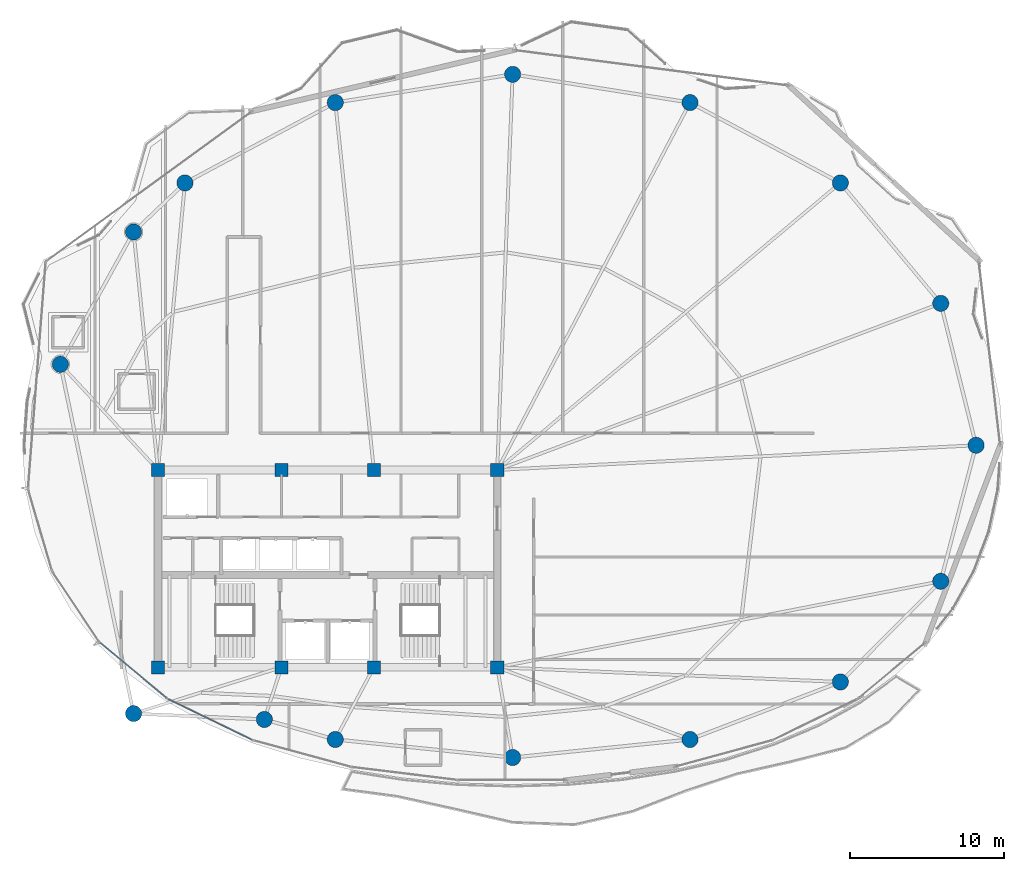
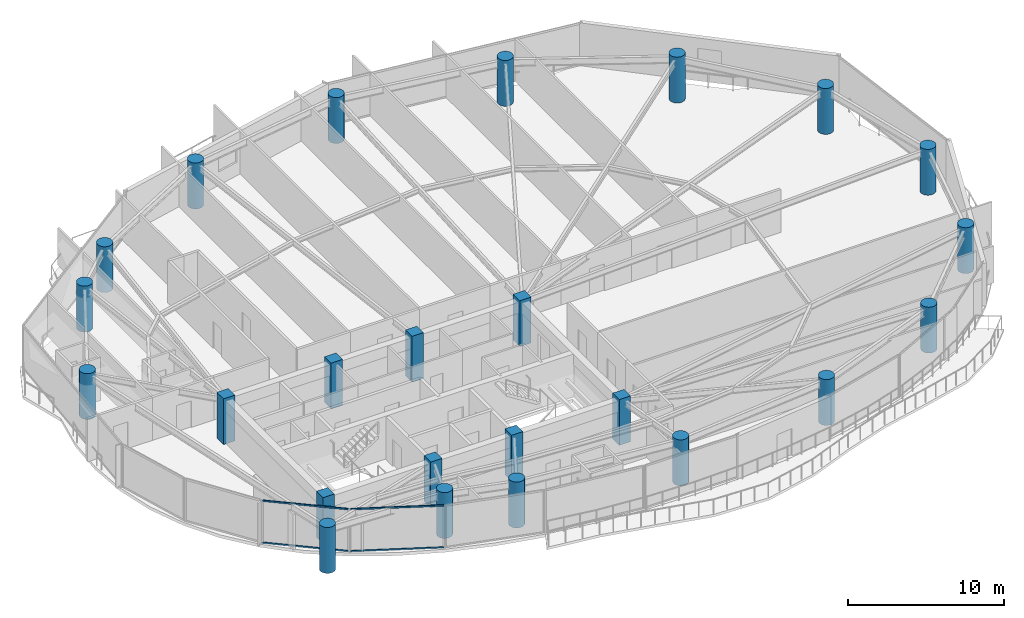
# One storey, part 1 of 31: 24 columns, 4 members, 2 elements without a shape of their own.
"""IFC4 building model written with IfcOpenShell, lengths in metres."""

from ifc_helpers import new_model, si_unit, direction, frame, origin, origin_2d, place, context, subcontext, project, spatial, rectangle, hollow_rectangle, circle, extrude, material, layer, layer_set, material_profile, profile_set, type_object, element, aggregate, save


model = new_model("IFC4")

# Units and contexts
model_context = context("Model", 3, precision=1e-05, world=origin(), true_north=direction((0.0, 1.0)))
body_context = subcontext(model_context, "Body", "Model", "MODEL_VIEW")
ifc_project = project(units=[si_unit("LENGTHUNIT", "METRE"), si_unit("AREAUNIT", "SQUARE_METRE"), si_unit("VOLUMEUNIT", "CUBIC_METRE"), si_unit("PLANEANGLEUNIT", "RADIAN"), si_unit("MASSUNIT", "GRAM", prefix="KILO")], contexts=[model_context])

# Site, building, storey
site_placement = place(None, origin())
site = spatial("IfcSite", under=ifc_project, at=site_placement, CompositionType="ELEMENT")
building_placement = place(site_placement, origin())
building = spatial("IfcBuilding", under=site, at=building_placement, Name="Kazevale Care Tower and Concert Hall", CompositionType="ELEMENT")
storey_placement = place(building_placement, frame((0.0, 0.0, 238.800048828125)))
storey = spatial("IfcBuildingStorey", under=building, at=storey_placement, Name="L63", CompositionType="ELEMENT", Elevation=238.800048828125)

# Columns
ifc_material_1 = material(Name="Concrete C50", Category="concrete")
ifc_material_profile_1 = material_profile(ifc_material_1, rectangle(XDim=0.85009765625, YDim=0.85009765625, at=origin_2d()), Name="RC-SQ850")
ifc_profile_set_1 = profile_set([ifc_material_profile_1], Name="Concrete C50")
column_type_1 = type_object("IfcColumnType", Name="Core Column SQ850 C50", PredefinedType="COLUMN", material=ifc_profile_set_1)
for number, where, z_axis, x_axis, name in (
    (1, (22.0, 23.60009765625, 0.0), (0.0, 0.0, 1.0), (1.0, 0.0, 0.0), "col:L63:CC-01"),
    (2, (30.0, 23.60009765625, 0.0), (0.0, 0.0, 1.0), (1.0, 0.0, 0.0), "col:L63:CC-02"),
    (3, (36.0, 23.60009765625, 0.0), (0.0, 0.0, 1.0), (1.0, 0.0, 0.0), "col:L63:CC-03"),
    (4, (44.0, 23.60009765625, 0.0), (0.0, 0.0, 1.0), (1.0, 0.0, 0.0), "col:L63:CC-04"),
    (5, (44.0, 36.39990234375, 0.0), (0.0, 0.0, 1.0), (1.0, 0.0, 0.0), "col:L63:CC-05"),
    (6, (36.0, 36.39990234375, 0.0), (0.0, 0.0, 1.0), (1.0, 0.0, 0.0), "col:L63:CC-06"),
    (7, (30.0, 36.39990234375, 0.0), (0.0, 0.0, 1.0), (1.0, 0.0, 0.0), "col:L63:CC-07"),
    (8, (22.0, 36.39990234375, 0.0), (0.0, 0.0, 1.0), (1.0, 0.0, 0.0), "col:L63:CC-08"),
):
    element("IfcColumn", number, at=place(storey_placement, frame(where, z_axis=z_axis, x_axis=x_axis)), inside=storey, type_object=column_type_1, Name=name, PredefinedType="COLUMN", context=body_context, shape_type="SweptSolid", body=[
        extrude(rectangle(XDim=0.85009765625, YDim=0.85009765625, at=origin_2d()), origin(), (0.0, 0.0, 1.0), 3.599853515625),
    ])
ifc_material_profile_2 = material_profile(ifc_material_1, circle(Radius=0.52490234375, at=origin_2d()), Name="RC-CIR1050")
ifc_profile_set_2 = profile_set([ifc_material_profile_2], Name="Concrete C50")
column_type_2 = type_object("IfcColumnType", Name="Perimeter Column CIR1050 C50", PredefinedType="COLUMN", material=ifc_profile_set_2)
for number, where, z_axis, x_axis, name in (
    (9, (75.050048828125, 38.0, 0.0), (0.0, 0.0, 1.0), (1.0, 0.0, 0.0), "col:L63:PC-01"),
    (10, (72.760009765625, 47.199951171875, 0.0), (0.0, 0.0, 1.0), (1.0, 0.0, 0.0), "col:L63:PC-02"),
    (11, (66.25, 55.010009765625, 0.0), (0.0, 0.0, 1.0), (1.0, 0.0, 0.0), "col:L63:PC-03"),
    (12, (56.5, 60.219970703125, 0.0), (0.0, 0.0, 1.0), (1.0, 0.0, 0.0), "col:L63:PC-04"),
    (13, (45.0, 62.050048828125, 0.0), (0.0, 0.0, 1.0), (1.0, 0.0, 0.0), "col:L63:PC-05"),
    (14, (33.5, 60.219970703125, 0.0), (0.0, 0.0, 1.0), (1.0, 0.0, 0.0), "col:L63:PC-06"),
    (15, (23.75, 55.010009765625, 0.0), (0.0, 0.0, 1.0), (1.0, 0.0, 0.0), "col:L63:PC-07"),
    (16, (20.419921875, 51.830078125, 0.0), (0.0, 0.0, 1.0), (1.0, 0.0, 0.0), "col:L63:PC-08"),
    (17, (15.669921875, 43.25, 0.0), (0.0, 0.0, 1.0), (1.0, 0.0, 0.0), "col:L63:PC-09"),
    (18, (20.419921875, 20.60009765625, 0.0), (0.0, 0.0, 1.0), (1.0, 0.0, 0.0), "col:L63:PC-10"),
    (19, (28.89990234375, 20.219970703125, 0.0), (0.0, 0.0, 1.0), (1.0, 0.0, 0.0), "col:L63:PC-11"),
    (20, (33.5, 18.919921875, 0.0), (0.0, 0.0, 1.0), (1.0, 0.0, 0.0), "col:L63:PC-12"),
    (21, (45.0, 17.75, 0.0), (0.0, 0.0, 1.0), (1.0, 0.0, 0.0), "col:L63:PC-13"),
    (22, (56.5, 18.919921875, 0.0), (0.0, 0.0, 1.0), (1.0, 0.0, 0.0), "col:L63:PC-14"),
    (23, (66.25, 22.64990234375, 0.0), (0.0, 0.0, 1.0), (1.0, 0.0, 0.0), "col:L63:PC-15"),
    (24, (72.760009765625, 29.179931640625, 0.0), (0.0, 0.0, 1.0), (1.0, 0.0, 0.0), "col:L63:PC-16"),
):
    element("IfcColumn", number, at=place(storey_placement, frame(where, z_axis=z_axis, x_axis=x_axis)), inside=storey, type_object=column_type_2, Name=name, PredefinedType="COLUMN", context=body_context, shape_type="SweptSolid", body=[
        extrude(circle(Radius=0.52490234375, at=origin_2d()), origin(), (0.0, 0.0, 1.0), 3.599853515625),
    ])

# Curtain wall, members
ifc_material_2 = material(Name="Aluminium 6063-T6 and Low-E Glass", Category="aluminium")
ifc_layer = layer(ifc_material_2, 0.179931640625)
ifc_layer_set = layer_set([ifc_layer], Name="Aluminium 6063-T6 and Low-E Glass")
curtain_wall_type = type_object("IfcCurtainWallType", Name="Sheltered Concave Balcony Curtain Wall CW-5", PredefinedType="NOTDEFINED", material=ifc_layer_set)
curtain_wall_1_placement = place(storey_placement, origin())
curtain_wall_1 = element("IfcCurtainWall", 25, at=curtain_wall_1_placement, inside=storey, type_object=curtain_wall_type, Name="cw:L63:f09", PredefinedType="NOTDEFINED")
ifc_material_3 = material(Name="Aluminium 6063-T6", Category="aluminium")
ifc_material_profile_3 = material_profile(ifc_material_3, hollow_rectangle(XDim=0.074951171875, YDim=0.1201171875, WallThickness=0.00390625, at=origin_2d()), Name="ALU75x120x4")
ifc_profile_set_3 = profile_set([ifc_material_profile_3], Name="Aluminium 6063-T6")
member_type = type_object("IfcMemberType", Name="CW-5 Transom ALU75x120x4", PredefinedType="USERDEFINED", material=ifc_profile_set_3)
member_1_placement = place(storey_placement, frame((28.07666015625, 18.90576171875, 0.037353515625), z_axis=(-0.899342308406, 0.437245254189, 0.0), x_axis=(-0.437245254189, -0.899342308406, 0.0)))
member_1 = element("IfcMember", 26, at=member_1_placement, type_object=member_type, Name="CW-5 transom 1.1", ObjectType="TRANSOM", PredefinedType="USERDEFINED", context=body_context, shape_type="SweptSolid", body=[
    extrude(hollow_rectangle(XDim=0.074951171875, YDim=0.1201171875, WallThickness=0.00390625, at=origin_2d()), origin(), (0.0, 0.0, 1.0), 6.00244140625),
])
member_2_placement = place(storey_placement, frame((28.07666015625, 18.90576171875, 3.322509765625), z_axis=(-0.899342308406, 0.437245254189, 0.0), x_axis=(-0.437245254189, -0.899342308406, 0.0)))
member_2 = element("IfcMember", 27, at=member_2_placement, type_object=member_type, Name="CW-5 transom 1.2", ObjectType="TRANSOM", PredefinedType="USERDEFINED", context=body_context, shape_type="SweptSolid", body=[
    extrude(hollow_rectangle(XDim=0.074951171875, YDim=0.1201171875, WallThickness=0.00390625, at=origin_2d()), origin(), (0.0, 0.0, 1.0), 6.00244140625),
])
aggregate(curtain_wall_1, [member_1, member_2])

curtain_wall_2_placement = place(storey_placement, origin())
curtain_wall_2 = element("IfcCurtainWall", 28, at=curtain_wall_2_placement, inside=storey, type_object=curtain_wall_type, Name="cw:L63:f10", PredefinedType="NOTDEFINED")
member_3_placement = place(storey_placement, frame((22.553466796875, 21.611083984375, 0.037353515625), z_axis=(-0.768432829708, 0.639930454211, 0.0), x_axis=(-0.639930454211, -0.768432829708, 0.0)))
member_3 = element("IfcMember", 29, at=member_3_placement, type_object=member_type, Name="CW-5 transom 1.1", ObjectType="TRANSOM", PredefinedType="USERDEFINED", context=body_context, shape_type="SweptSolid", body=[
    extrude(hollow_rectangle(XDim=0.074951171875, YDim=0.1201171875, WallThickness=0.00390625, at=origin_2d()), origin(), (0.0, 0.0, 1.0), 5.580078125),
])
member_4_placement = place(storey_placement, frame((22.553466796875, 21.611083984375, 3.322509765625), z_axis=(-0.768432829708, 0.639930454211, 0.0), x_axis=(-0.639930454211, -0.768432829708, 0.0)))
member_4 = element("IfcMember", 30, at=member_4_placement, type_object=member_type, Name="CW-5 transom 1.2", ObjectType="TRANSOM", PredefinedType="USERDEFINED", context=body_context, shape_type="SweptSolid", body=[
    extrude(hollow_rectangle(XDim=0.074951171875, YDim=0.1201171875, WallThickness=0.00390625, at=origin_2d()), origin(), (0.0, 0.0, 1.0), 5.580078125),
])
aggregate(curtain_wall_2, [member_3, member_4])

save(model, "model.ifc")
